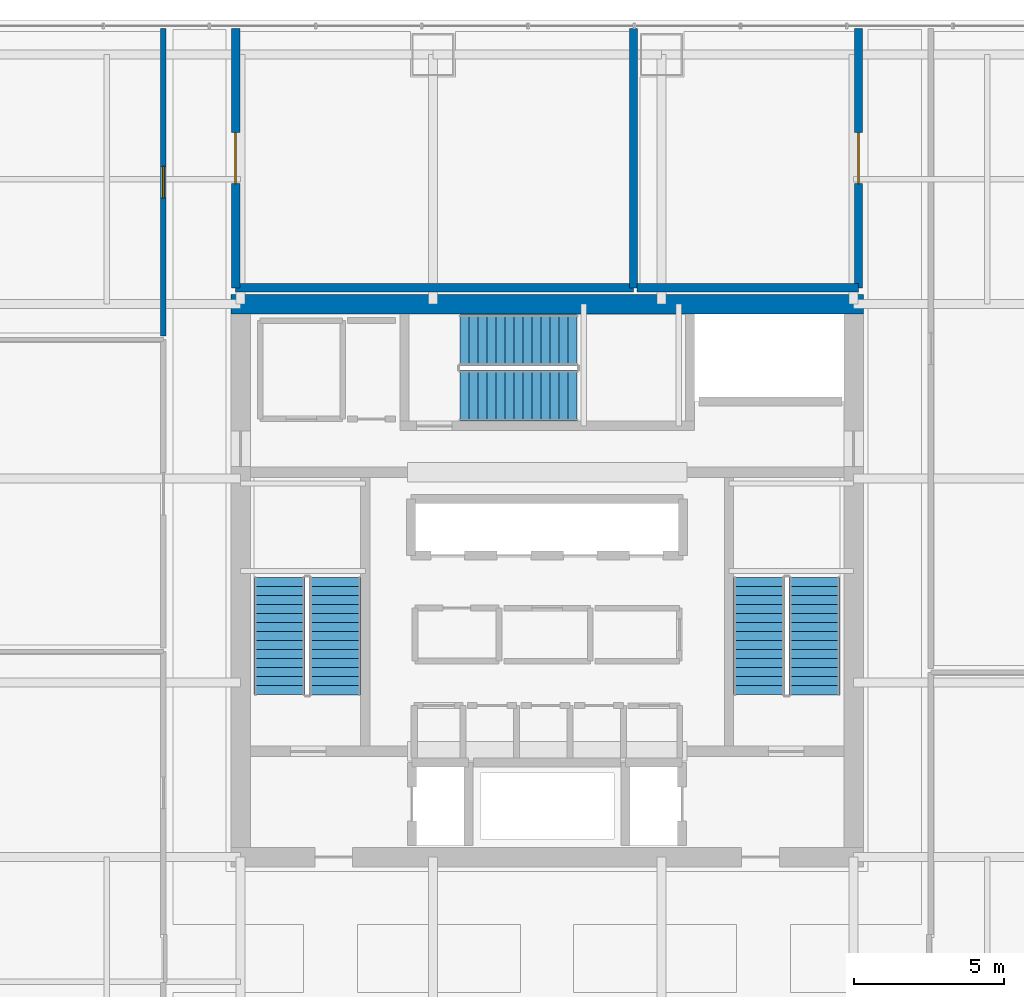
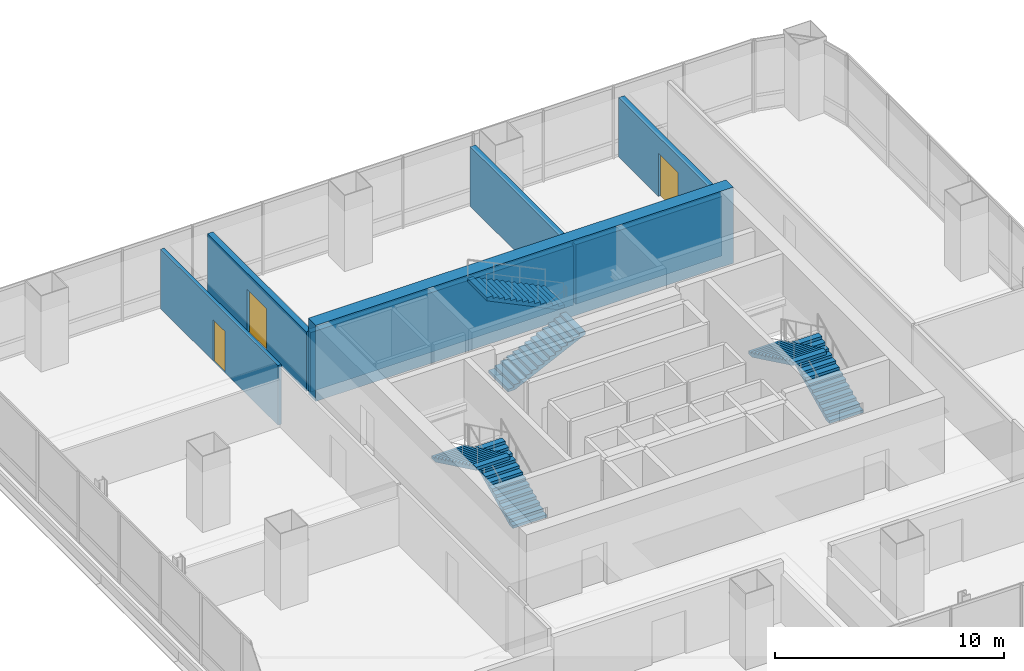
# One storey, part 31 of 36: 7 walls, 6 stair flights, 3 doors, 3 openings, 3 elements without a shape of their own.
"""IFC4 building model written with IfcOpenShell, lengths in metres."""

from ifc_helpers import new_model, si_unit, direction, frame, frame_2d, origin, place, context, subcontext, project, spatial, polyline, rectangle, outline, extrude, material, layer, layer_set, type_object, element, fill, aggregate, save


model = new_model("IFC4")

# Units and contexts
model_context = context("Model", 3, precision=1e-05, world=origin(), true_north=direction((0.0, 1.0)))
body_context = subcontext(model_context, "Body", "Model", "MODEL_VIEW")
ifc_project = project(units=[si_unit("LENGTHUNIT", "METRE"), si_unit("AREAUNIT", "SQUARE_METRE"), si_unit("VOLUMEUNIT", "CUBIC_METRE"), si_unit("PLANEANGLEUNIT", "RADIAN"), si_unit("MASSUNIT", "GRAM", prefix="KILO")], contexts=[model_context])

# Site, building, storey
site_placement = place(None, origin())
site = spatial("IfcSite", under=ifc_project, at=site_placement, CompositionType="ELEMENT")
building_placement = place(site_placement, origin())
building = spatial("IfcBuilding", under=site, at=building_placement, Name="Punatoya Terracotta Tower", CompositionType="ELEMENT")
storey_placement = place(building_placement, frame((0.0, 0.0, 196.5)))
storey = spatial("IfcBuildingStorey", under=building, at=storey_placement, Name="L46", CompositionType="ELEMENT", Elevation=196.5)

# Walls
ifc_material_1 = material(Name="Concrete C40/50", Category="concrete")
ifc_layer_1 = layer(ifc_material_1, 0.280029296875)
ifc_layer_set_1 = layer_set([ifc_layer_1], Name="Concrete C40/50")
wall_type_1 = type_object("IfcWallType", Name="WL-AUD-280", PredefinedType="SOLIDWALL", material=ifc_layer_set_1)
wall_1_placement = place(storey_placement, frame((2.8740234375, 18.3701171875, 0.0), z_axis=(0.0, 0.0, 1.0), x_axis=(0.0, -1.0, 0.0)))
element("IfcWall", 1, at=wall_1_placement, inside=storey, type_object=wall_type_1, Name="L46 Open-Plan Waterfront Club Lounge Partition 46", PredefinedType="SOLIDWALL", context=body_context, shape_type="SweptSolid", body=[
    extrude(rectangle(XDim=8.630126953125, YDim=0.280029296875, at=frame_2d((4.31494140625, 0.0))), origin(), (0.0, 0.0, 1.0), 3.174072265625),
])
wall_2_placement = place(storey_placement, frame((2.8740234375, 9.739990234375, 0.0), z_axis=(0.0, 0.0, 1.0), x_axis=(-1.0, 0.0, 0.0)))
element("IfcWall", 2, at=wall_2_placement, inside=storey, type_object=wall_type_1, Name="L46 Open-Plan Waterfront Club Lounge Partition 47", PredefinedType="SOLIDWALL", context=body_context, shape_type="SweptSolid", body=[
    extrude(rectangle(XDim=13.234130859375, YDim=0.280029296875, at=frame_2d((6.6171875, 0.0))), origin(), (0.0, 0.0, 1.0), 3.174072265625),
])

# Wall, opening, door
wall_3_placement = place(storey_placement, frame((-10.360107421875, 9.739990234375, 0.0), z_axis=(0.0, 0.0, 1.0), x_axis=(0.0, 1.0, 0.0)))
wall_3 = element("IfcWall", 3, at=wall_3_placement, inside=storey, type_object=wall_type_1, Name="L46 Open-Plan Waterfront Club Lounge Partition 48", PredefinedType="SOLIDWALL", context=body_context, shape_type="SweptSolid", body=[
    extrude(rectangle(XDim=8.630126953125, YDim=0.280029296875, at=frame_2d((4.31494140625, 0.0))), origin(), (0.0, 0.0, 1.0), 3.174072265625),
])
opening_1_placement = place(wall_3_placement, frame((3.465087890625, 0.0, 0.0)))
opening_1 = element("IfcOpeningElement", 4, at=opening_1_placement, cuts=wall_3, Name="Opening FD-D1", PredefinedType="OPENING", context=body_context, shape_type="SweptSolid", body=[
    extrude(rectangle(XDim=1.699951171875, YDim=2.300048828125, at=frame_2d((0.85009765625, 1.14990234375))), frame((0.0, 0.14990234375, 0.0), z_axis=(0.0, -1.0, 0.0), x_axis=(1.0, 0.0, 0.0)), (0.0, 0.0, 1.0), 0.300048828125),
])
ifc_material_2 = material(Name="Timber Teak Veneer Fire Leaf", Category="wood")
door_type_1 = type_object("IfcDoorType", Name="DR-DIN-1700", OperationType="NOTDEFINED", PredefinedType="DOOR", material=ifc_material_2)
door_1_placement = place(opening_1_placement, origin())
door_1 = element("IfcDoor", 5, at=door_1_placement, inside=storey, type_object=door_type_1, Name="L46 Open-Plan Waterfront Club Lounge Fire Door", OperationType="DOUBLE_DOOR_SINGLE_SWING", OverallHeight=2.300048828125, OverallWidth=1.699951171875, PredefinedType="DOOR", context=body_context, shape_type="SweptSolid", body=[
    extrude(rectangle(XDim=1.699951171875, YDim=2.300048828125, at=frame_2d((0.85009765625, 1.14990234375))), frame((0.0, 0.02490234375, 0.0), z_axis=(0.0, -1.0, 0.0), x_axis=(1.0, 0.0, 0.0)), (0.0, 0.0, 1.0), 0.050048828125),
])
fill(opening_1, door_1)

# Wall
wall_4_placement = place(storey_placement, frame((10.360107421875, 9.739990234375, 0.0), z_axis=(0.0, 0.0, 1.0), x_axis=(-1.0, 0.0, 0.0)))
element("IfcWall", 6, at=wall_4_placement, inside=storey, type_object=wall_type_1, Name="L46 Open-Plan Terrace Refreshment Lounge Partition 49", PredefinedType="SOLIDWALL", context=body_context, shape_type="SweptSolid", body=[
    extrude(rectangle(XDim=7.3662109375, YDim=0.280029296875, at=frame_2d((3.68310546875, 0.0))), origin(), (0.0, 0.0, 1.0), 3.174072265625),
])

# Wall, opening, door
wall_5_placement = place(storey_placement, frame((10.360107421875, 18.3701171875, 0.0), z_axis=(0.0, 0.0, 1.0), x_axis=(0.0, -1.0, 0.0)))
wall_5 = element("IfcWall", 7, at=wall_5_placement, inside=storey, type_object=wall_type_1, Name="L46 Open-Plan Terrace Refreshment Lounge Partition 50", PredefinedType="SOLIDWALL", context=body_context, shape_type="SweptSolid", body=[
    extrude(rectangle(XDim=8.630126953125, YDim=0.280029296875, at=frame_2d((4.31494140625, 0.0))), origin(), (0.0, 0.0, 1.0), 3.174072265625),
])
opening_2_placement = place(wall_5_placement, frame((3.465087890625, 0.0, 0.0)))
opening_2 = element("IfcOpeningElement", 8, at=opening_2_placement, cuts=wall_5, Name="Opening FD-D1", PredefinedType="OPENING", context=body_context, shape_type="SweptSolid", body=[
    extrude(rectangle(XDim=1.699951171875, YDim=2.300048828125, at=frame_2d((0.85009765625, 1.14990234375))), frame((0.0, 0.14990234375, 0.0), z_axis=(0.0, -1.0, 0.0), x_axis=(1.0, 0.0, 0.0)), (0.0, 0.0, 1.0), 0.300048828125),
])
door_2_placement = place(opening_2_placement, origin())
door_2 = element("IfcDoor", 9, at=door_2_placement, inside=storey, type_object=door_type_1, Name="L46 Open-Plan Terrace Refreshment Lounge Fire Door", OperationType="DOUBLE_DOOR_SINGLE_SWING", OverallHeight=2.300048828125, OverallWidth=1.699951171875, PredefinedType="DOOR", context=body_context, shape_type="SweptSolid", body=[
    extrude(rectangle(XDim=1.699951171875, YDim=2.300048828125, at=frame_2d((0.85009765625, 1.14990234375))), frame((0.0, 0.02490234375, 0.0), z_axis=(0.0, -1.0, 0.0), x_axis=(1.0, 0.0, 0.0)), (0.0, 0.0, 1.0), 0.050048828125),
])
fill(opening_2, door_2)

# Wall
ifc_material_3 = material(Name="Concrete C60/75", Category="concrete")
ifc_layer_2 = layer(ifc_material_3, 0.64990234375)
ifc_layer_set_2 = layer_set([ifc_layer_2], Name="Concrete C60/75")
wall_type_2 = type_object("IfcWallType", Name="WL-COR-650", PredefinedType="SHEAR", material=ifc_layer_set_2)
wall_6_placement = place(storey_placement, frame((-10.52490234375, 9.199951171875, 0.0), z_axis=(0.0, 0.0, 1.0), x_axis=(1.0, 0.0, 0.0)))
element("IfcWall", 10, at=wall_6_placement, inside=storey, type_object=wall_type_2, Name="L46 Core Shear Wall N", PredefinedType="SHEAR", context=body_context, shape_type="SweptSolid", body=[
    extrude(rectangle(XDim=21.0498046875, YDim=0.64990234375, at=frame_2d((10.52490234375, 0.0))), origin(), (0.0, 0.0, 1.0), 4.050048828125),
])

# Wall, opening, door
ifc_material_4 = material(Name="Gypsum Fireboard + Steel Stud", Category="steel")
ifc_layer_3 = layer(ifc_material_4, 0.179931640625)
ifc_layer_set_3 = layer_set([ifc_layer_3], Name="Gypsum Fireboard + Steel Stud")
wall_type_3 = type_object("IfcWallType", Name="WL-CORR-180", PredefinedType="PARTITIONING", material=ifc_layer_set_3)
wall_7_placement = place(storey_placement, frame((-12.77001953125, 18.3701171875, 0.0), z_axis=(0.0, 0.0, 1.0), x_axis=(0.0, -1.0, 0.0)))
wall_7 = element("IfcWall", 11, at=wall_7_placement, inside=storey, type_object=wall_type_3, Name="L46 Open-Plan Barista Espresso Pantry Partition 45", PredefinedType="PARTITIONING", context=body_context, shape_type="SweptSolid", body=[
    extrude(rectangle(XDim=10.232177734375, YDim=0.179931640625, at=frame_2d((5.1162109375, 0.0))), origin(), (0.0, 0.0, 1.0), 3.174072265625),
])
opening_3_placement = place(wall_7_placement, frame((4.591064453125, 0.0, 0.0)))
opening_3 = element("IfcOpeningElement", 12, at=opening_3_placement, cuts=wall_7, Name="Opening OD-01", PredefinedType="OPENING", context=body_context, shape_type="SweptSolid", body=[
    extrude(rectangle(XDim=1.050048828125, YDim=2.199951171875, at=frame_2d((0.52490234375, 1.10009765625))), frame((0.0, 0.099853515625, 0.0), z_axis=(0.0, -1.0, 0.0), x_axis=(1.0, 0.0, 0.0)), (0.0, 0.0, 1.0), 0.199951171875),
])
ifc_material_5 = material(Name="Bengal Teak Solid-Core Leaf")
door_type_2 = type_object("IfcDoorType", Name="DR-OFF-1050", OperationType="NOTDEFINED", PredefinedType="DOOR", material=ifc_material_5)
door_3_placement = place(opening_3_placement, origin())
door_3 = element("IfcDoor", 13, at=door_3_placement, inside=storey, type_object=door_type_2, Name="L46 Open-Plan Barista Espresso Pantry Door", OperationType="SINGLE_SWING_RIGHT", OverallHeight=2.199951171875, OverallWidth=1.050048828125, PredefinedType="DOOR", context=body_context, shape_type="SweptSolid", body=[
    extrude(rectangle(XDim=1.050048828125, YDim=2.199951171875, at=frame_2d((0.52490234375, 1.10009765625))), frame((0.0, 0.02490234375, 0.0), z_axis=(0.0, -1.0, 0.0), x_axis=(1.0, 0.0, 0.0)), (0.0, 0.0, 1.0), 0.050048828125),
])
fill(opening_3, door_3)

# Stair, stair flights
stair_type_1 = type_object("IfcStairType", Name="STR-CORE-1550", PredefinedType="HALF_TURN_STAIR", material=ifc_material_1)
stair_1_placement = place(storey_placement, origin())
stair_1 = element("IfcStair", 14, at=stair_1_placement, inside=storey, type_object=stair_type_1, Name="L46 Protected Core Exit Stair ST-1", PredefinedType="HALF_TURN_STAIR")
stair_flight_type_1 = type_object("IfcStairFlightType", Name="SFL-CORE-1550", PredefinedType="STRAIGHT", material=ifc_material_1)
stair_flight_1_placement = place(storey_placement, frame((-7.050048828125, -3.800048828125, 0.0), z_axis=(0.0, 0.0, 1.0), x_axis=(0.0, 1.0, 0.0)))
stair_flight_1 = element("IfcStairFlight", 15, at=stair_flight_1_placement, type_object=stair_flight_type_1, Name="ST-1 flight 1", NumberOfRisers=14, NumberOfTreads=13, PredefinedType="STRAIGHT", RiserHeight=0.144642857, TreadLength=0.3, context=body_context, shape_type="SweptSolid", body=[
    extrude(outline(polyline([(0.0, 0.0), (0.0, 0.14453125), (0.300048828125, 0.14453125), (0.300048828125, 0.289306640625), (0.60009765625, 0.289306640625), (0.60009765625, 0.433837890625), (0.89990234375, 0.433837890625), (0.89990234375, 0.57861328125), (1.199951171875, 0.57861328125), (1.199951171875, 0.72314453125), (1.5, 0.72314453125), (1.5, 0.867919921875), (1.800048828125, 0.867919921875), (1.800048828125, 1.012451171875), (2.10009765625, 1.012451171875), (2.10009765625, 1.1572265625), (2.39990234375, 1.1572265625), (2.39990234375, 1.3017578125), (2.699951171875, 1.3017578125), (2.699951171875, 1.446533203125), (3.0, 1.446533203125), (3.0, 1.591064453125), (3.300048828125, 1.591064453125), (3.300048828125, 1.735595703125), (3.60009765625, 1.735595703125), (3.60009765625, 1.88037109375), (3.89990234375, 1.88037109375), (3.89990234375, 2.02490234375), (3.89990234375, 1.7138671875), (0.34521484375, 0.0), (0.0, 0.0)])), frame((0.0, 0.85009765625, 0.0), z_axis=(0.0, -1.0, 0.0), x_axis=(1.0, 0.0, 0.0)), (0.0, 0.0, 1.0), 1.699951171875),
])
stair_flight_2_placement = place(storey_placement, frame((-8.89990234375, 0.10009765625, 2.02490234375), z_axis=(0.0, 0.0, 1.0), x_axis=(0.0, -1.0, 0.0)))
stair_flight_2 = element("IfcStairFlight", 16, at=stair_flight_2_placement, type_object=stair_flight_type_1, Name="ST-1 flight 2", NumberOfRisers=14, NumberOfTreads=13, PredefinedType="STRAIGHT", RiserHeight=0.144642857, TreadLength=0.3, context=body_context, shape_type="SweptSolid", body=[
    extrude(outline(polyline([(0.0, 0.0), (0.0, 0.14453125), (0.300048828125, 0.14453125), (0.300048828125, 0.289306640625), (0.60009765625, 0.289306640625), (0.60009765625, 0.433837890625), (0.89990234375, 0.433837890625), (0.89990234375, 0.57861328125), (1.199951171875, 0.57861328125), (1.199951171875, 0.72314453125), (1.5, 0.72314453125), (1.5, 0.867919921875), (1.800048828125, 0.867919921875), (1.800048828125, 1.012451171875), (2.10009765625, 1.012451171875), (2.10009765625, 1.1572265625), (2.39990234375, 1.1572265625), (2.39990234375, 1.3017578125), (2.699951171875, 1.3017578125), (2.699951171875, 1.446533203125), (3.0, 1.446533203125), (3.0, 1.591064453125), (3.300048828125, 1.591064453125), (3.300048828125, 1.735595703125), (3.60009765625, 1.735595703125), (3.60009765625, 1.88037109375), (3.89990234375, 1.88037109375), (3.89990234375, 2.02490234375), (3.89990234375, 1.7138671875), (0.34521484375, 0.0), (0.0, 0.0)])), frame((0.0, 0.85009765625, 0.0), z_axis=(0.0, -1.0, 0.0), x_axis=(1.0, 0.0, 0.0)), (0.0, 0.0, 1.0), 1.699951171875),
])
aggregate(stair_1, [stair_flight_1, stair_flight_2])

stair_type_2 = type_object("IfcStairType", Name="STR-LOB-1650", PredefinedType="HALF_TURN_STAIR", material=ifc_material_1)
stair_2_placement = place(storey_placement, origin())
stair_2 = element("IfcStair", 17, at=stair_2_placement, inside=storey, type_object=stair_type_2, Name="L46 Protected Core Exit Stair ST-2", PredefinedType="HALF_TURN_STAIR")
stair_flight_type_2 = type_object("IfcStairFlightType", Name="SFL-LOB-1650", PredefinedType="STRAIGHT", material=ifc_material_1)
stair_flight_3_placement = place(storey_placement, frame((8.89990234375, -3.800048828125, 0.0), z_axis=(0.0, 0.0, 1.0), x_axis=(0.0, 1.0, 0.0)))
stair_flight_3 = element("IfcStairFlight", 18, at=stair_flight_3_placement, type_object=stair_flight_type_2, Name="ST-2 flight 1", NumberOfRisers=14, NumberOfTreads=13, PredefinedType="STRAIGHT", RiserHeight=0.144642857, TreadLength=0.3, context=body_context, shape_type="SweptSolid", body=[
    extrude(outline(polyline([(0.0, 0.0), (0.0, 0.14453125), (0.300048828125, 0.14453125), (0.300048828125, 0.289306640625), (0.60009765625, 0.289306640625), (0.60009765625, 0.433837890625), (0.89990234375, 0.433837890625), (0.89990234375, 0.57861328125), (1.199951171875, 0.57861328125), (1.199951171875, 0.72314453125), (1.5, 0.72314453125), (1.5, 0.867919921875), (1.800048828125, 0.867919921875), (1.800048828125, 1.012451171875), (2.10009765625, 1.012451171875), (2.10009765625, 1.1572265625), (2.39990234375, 1.1572265625), (2.39990234375, 1.3017578125), (2.699951171875, 1.3017578125), (2.699951171875, 1.446533203125), (3.0, 1.446533203125), (3.0, 1.591064453125), (3.300048828125, 1.591064453125), (3.300048828125, 1.735595703125), (3.60009765625, 1.735595703125), (3.60009765625, 1.88037109375), (3.89990234375, 1.88037109375), (3.89990234375, 2.02490234375), (3.89990234375, 1.7138671875), (0.34521484375, 0.0), (0.0, 0.0)])), frame((0.0, 0.85009765625, 0.0), z_axis=(0.0, -1.0, 0.0), x_axis=(1.0, 0.0, 0.0)), (0.0, 0.0, 1.0), 1.699951171875),
])
stair_flight_4_placement = place(storey_placement, frame((7.050048828125, 0.10009765625, 2.02490234375), z_axis=(0.0, 0.0, 1.0), x_axis=(0.0, -1.0, 0.0)))
stair_flight_4 = element("IfcStairFlight", 19, at=stair_flight_4_placement, type_object=stair_flight_type_2, Name="ST-2 flight 2", NumberOfRisers=14, NumberOfTreads=13, PredefinedType="STRAIGHT", RiserHeight=0.144642857, TreadLength=0.3, context=body_context, shape_type="SweptSolid", body=[
    extrude(outline(polyline([(0.0, 0.0), (0.0, 0.14453125), (0.300048828125, 0.14453125), (0.300048828125, 0.289306640625), (0.60009765625, 0.289306640625), (0.60009765625, 0.433837890625), (0.89990234375, 0.433837890625), (0.89990234375, 0.57861328125), (1.199951171875, 0.57861328125), (1.199951171875, 0.72314453125), (1.5, 0.72314453125), (1.5, 0.867919921875), (1.800048828125, 0.867919921875), (1.800048828125, 1.012451171875), (2.10009765625, 1.012451171875), (2.10009765625, 1.1572265625), (2.39990234375, 1.1572265625), (2.39990234375, 1.3017578125), (2.699951171875, 1.3017578125), (2.699951171875, 1.446533203125), (3.0, 1.446533203125), (3.0, 1.591064453125), (3.300048828125, 1.591064453125), (3.300048828125, 1.735595703125), (3.60009765625, 1.735595703125), (3.60009765625, 1.88037109375), (3.89990234375, 1.88037109375), (3.89990234375, 2.02490234375), (3.89990234375, 1.7138671875), (0.34521484375, 0.0), (0.0, 0.0)])), frame((0.0, 0.85009765625, 0.0), z_axis=(0.0, -1.0, 0.0), x_axis=(1.0, 0.0, 0.0)), (0.0, 0.0, 1.0), 1.699951171875),
])
aggregate(stair_2, [stair_flight_3, stair_flight_4])

stair_type_3 = type_object("IfcStairType", Name="STR-TER-1450", PredefinedType="HALF_TURN_STAIR", material=ifc_material_1)
stair_3_placement = place(storey_placement, origin())
stair_3 = element("IfcStair", 20, at=stair_3_placement, inside=storey, type_object=stair_type_3, Name="L46 Protected Core Exit Stair ST-3", PredefinedType="HALF_TURN_STAIR")
stair_flight_type_3 = type_object("IfcStairFlightType", Name="SFL-TER-1450", PredefinedType="STRAIGHT", material=ifc_material_1)
stair_flight_5_placement = place(storey_placement, frame((-2.89990234375, 6.14990234375, 0.0), z_axis=(0.0, 0.0, 1.0), x_axis=(1.0, 0.0, 0.0)))
stair_flight_5 = element("IfcStairFlight", 21, at=stair_flight_5_placement, type_object=stair_flight_type_3, Name="ST-3 flight 1", NumberOfRisers=14, NumberOfTreads=13, PredefinedType="STRAIGHT", RiserHeight=0.144642857, TreadLength=0.3, context=body_context, shape_type="SweptSolid", body=[
    extrude(outline(polyline([(0.0, 0.0), (0.0, 0.14453125), (0.300048828125, 0.14453125), (0.300048828125, 0.289306640625), (0.60009765625, 0.289306640625), (0.60009765625, 0.433837890625), (0.89990234375, 0.433837890625), (0.89990234375, 0.57861328125), (1.199951171875, 0.57861328125), (1.199951171875, 0.72314453125), (1.5, 0.72314453125), (1.5, 0.867919921875), (1.800048828125, 0.867919921875), (1.800048828125, 1.012451171875), (2.10009765625, 1.012451171875), (2.10009765625, 1.1572265625), (2.39990234375, 1.1572265625), (2.39990234375, 1.3017578125), (2.699951171875, 1.3017578125), (2.699951171875, 1.446533203125), (3.0, 1.446533203125), (3.0, 1.591064453125), (3.300048828125, 1.591064453125), (3.300048828125, 1.735595703125), (3.60009765625, 1.735595703125), (3.60009765625, 1.88037109375), (3.89990234375, 1.88037109375), (3.89990234375, 2.02490234375), (3.89990234375, 1.7138671875), (0.34521484375, 0.0), (0.0, 0.0)])), frame((0.0, 0.85009765625, 0.0), z_axis=(0.0, -1.0, 0.0), x_axis=(1.0, 0.0, 0.0)), (0.0, 0.0, 1.0), 1.699951171875),
])
stair_flight_6_placement = place(storey_placement, frame((1.0, 8.0, 2.02490234375), z_axis=(0.0, 0.0, 1.0), x_axis=(-1.0, 0.0, 0.0)))
stair_flight_6 = element("IfcStairFlight", 22, at=stair_flight_6_placement, type_object=stair_flight_type_3, Name="ST-3 flight 2", NumberOfRisers=14, NumberOfTreads=13, PredefinedType="STRAIGHT", RiserHeight=0.144642857, TreadLength=0.3, context=body_context, shape_type="SweptSolid", body=[
    extrude(outline(polyline([(0.0, 0.0), (0.0, 0.14453125), (0.300048828125, 0.14453125), (0.300048828125, 0.289306640625), (0.60009765625, 0.289306640625), (0.60009765625, 0.433837890625), (0.89990234375, 0.433837890625), (0.89990234375, 0.57861328125), (1.199951171875, 0.57861328125), (1.199951171875, 0.72314453125), (1.5, 0.72314453125), (1.5, 0.867919921875), (1.800048828125, 0.867919921875), (1.800048828125, 1.012451171875), (2.10009765625, 1.012451171875), (2.10009765625, 1.1572265625), (2.39990234375, 1.1572265625), (2.39990234375, 1.3017578125), (2.699951171875, 1.3017578125), (2.699951171875, 1.446533203125), (3.0, 1.446533203125), (3.0, 1.591064453125), (3.300048828125, 1.591064453125), (3.300048828125, 1.735595703125), (3.60009765625, 1.735595703125), (3.60009765625, 1.88037109375), (3.89990234375, 1.88037109375), (3.89990234375, 2.02490234375), (3.89990234375, 1.7138671875), (0.34521484375, 0.0), (0.0, 0.0)])), frame((0.0, 0.85009765625, 0.0), z_axis=(0.0, -1.0, 0.0), x_axis=(1.0, 0.0, 0.0)), (0.0, 0.0, 1.0), 1.699951171875),
])
aggregate(stair_3, [stair_flight_5, stair_flight_6])

save(model, "model.ifc")
